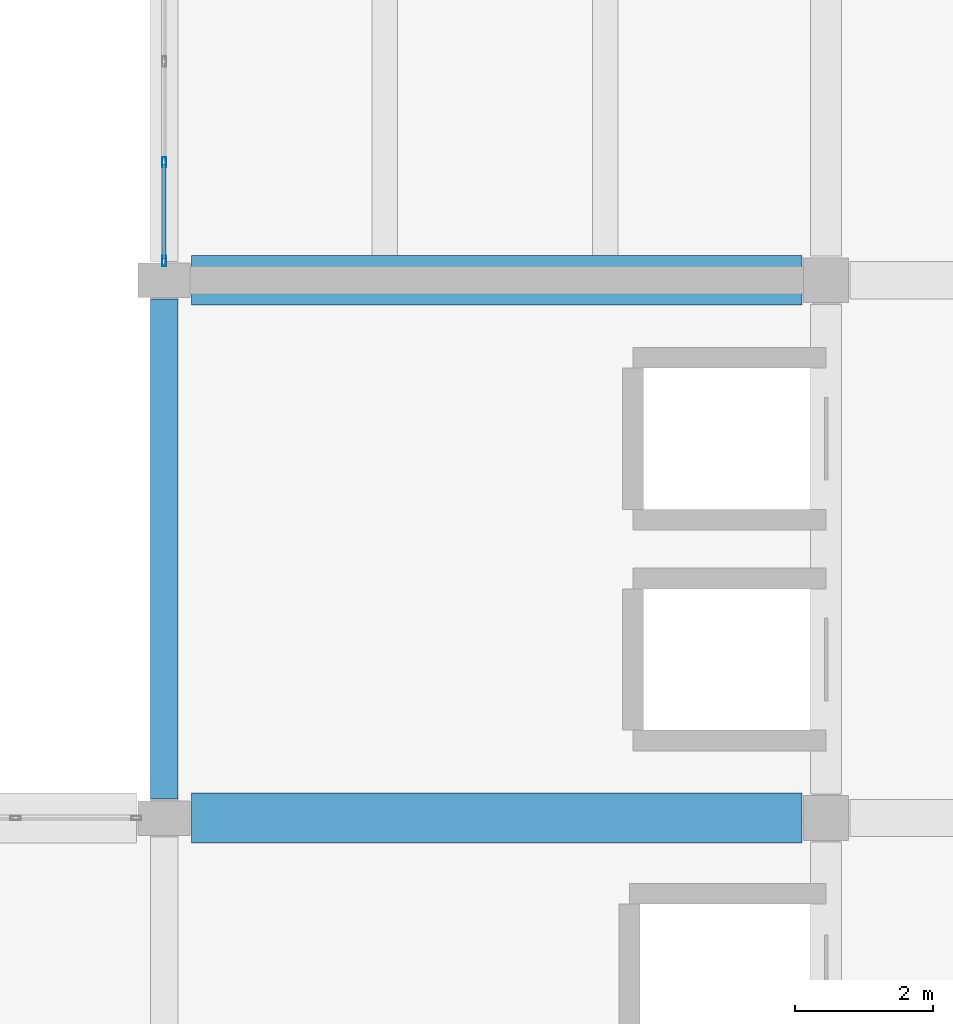
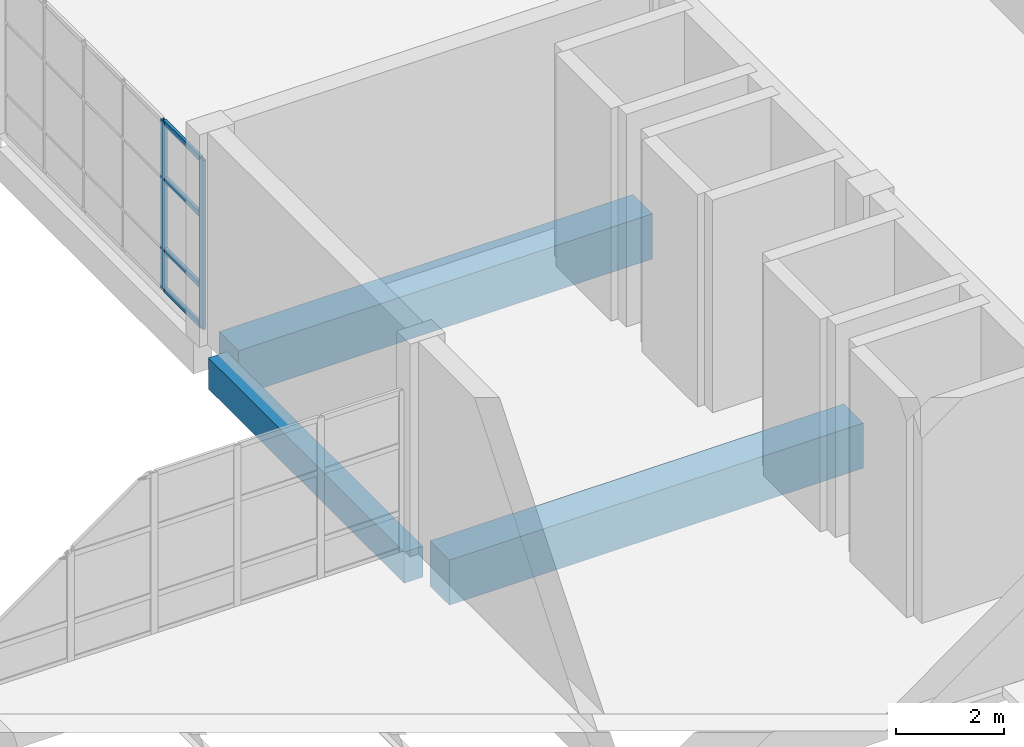
# One storey, part 36 of 79: 6 members, 3 beams, 1 element without a shape of its own.
"""IFC4 building model written with IfcOpenShell, lengths in metres."""

from ifc_helpers import new_model, si_unit, direction, frame, origin, origin_2d, place, context, subcontext, project, spatial, rectangle, hollow_rectangle, extrude, material, material_profile, profile_set, type_object, element, aggregate, save


model = new_model("IFC4")

# Units and contexts
model_context = context("Model", 3, precision=1e-05, world=origin(), true_north=direction((0.0, 1.0)))
body_context = subcontext(model_context, "Body", "Model", "MODEL_VIEW")
ifc_project = project(units=[si_unit("LENGTHUNIT", "METRE"), si_unit("AREAUNIT", "SQUARE_METRE"), si_unit("VOLUMEUNIT", "CUBIC_METRE"), si_unit("PLANEANGLEUNIT", "RADIAN"), si_unit("MASSUNIT", "GRAM", prefix="KILO")], contexts=[model_context])

# Site, building, storey
site_placement = place(None, origin())
site = spatial("IfcSite", under=ifc_project, at=site_placement, CompositionType="ELEMENT")
building_placement = place(site_placement, origin())
building = spatial("IfcBuilding", under=site, at=building_placement, Name="Pellamere Symphony Hall", CompositionType="ELEMENT")
storey_placement = place(building_placement, frame((0.0, 0.0, 10.199951171875)))
storey = spatial("IfcBuildingStorey", under=building, at=storey_placement, Name="L02", CompositionType="ELEMENT", Elevation=10.199951171875)

# Curtain wall, members
ifc_material_1 = material(Name="Thermally Broken Anodised Aluminium 6063-T6 Curtain Wall", Category="aluminium")
curtain_wall_type = type_object("IfcCurtainWallType", Name="Curtain Wall CW-05 (Artists Wing North Studio Ribbon Curtain Wall)", PredefinedType="NOTDEFINED", material=ifc_material_1)
curtain_wall_placement = place(storey_placement, origin())
curtain_wall = element("IfcCurtainWall", 1, at=curtain_wall_placement, inside=storey, type_object=curtain_wall_type, Name="Sculpture Court East Wing Curtain Wall (L02 Bay 1)", PredefinedType="NOTDEFINED")
ifc_material_2 = material(Name="Anodised Architectural Aluminium 6063-T6", Category="aluminium")
ifc_material_profile_1 = material_profile(ifc_material_2, hollow_rectangle(XDim=0.06005859375, YDim=0.14990234375, WallThickness=0.00390625, at=origin_2d()), Name="ALU-M60X150X4")
ifc_profile_set_1 = profile_set([ifc_material_profile_1], Name="Anodised Architectural Aluminium 6063-T6")
member_type_1 = type_object("IfcMemberType", Name="Curtain Wall Mullion ML-03 ALU-M60X150X4", PredefinedType="MULLION", material=ifc_profile_set_1)
member_1_placement = place(storey_placement, frame((138.0, 62.080078125, 0.0), z_axis=(0.0, 0.0, 1.0), x_axis=(-1.0, 0.0, 0.0)))
member_1 = element("IfcMember", 2, at=member_1_placement, type_object=member_type_1, Name="CW5-137 crystal mullion 1", PredefinedType="MULLION", context=body_context, shape_type="SweptSolid", body=[
    extrude(hollow_rectangle(XDim=0.06005859375, YDim=0.14990234375, WallThickness=0.00390625, at=origin_2d()), origin(), (0.0, 0.0, 1.0), 3.820068359375),
])
member_2_placement = place(storey_placement, frame((138.0, 63.510009765625, 0.0), z_axis=(0.0, 0.0, 1.0), x_axis=(-1.0, 0.0, 0.0)))
member_2 = element("IfcMember", 3, at=member_2_placement, type_object=member_type_1, Name="CW5-137 crystal mullion 2", PredefinedType="MULLION", context=body_context, shape_type="SweptSolid", body=[
    extrude(hollow_rectangle(XDim=0.06005859375, YDim=0.14990234375, WallThickness=0.00390625, at=origin_2d()), origin(), (0.0, 0.0, 1.0), 3.820068359375),
])
ifc_material_profile_2 = material_profile(ifc_material_2, hollow_rectangle(XDim=0.06005859375, YDim=0.1201171875, WallThickness=0.00390625, at=origin_2d()), Name="ALU-T60X120X4")
ifc_profile_set_2 = profile_set([ifc_material_profile_2], Name="Anodised Architectural Aluminium 6063-T6")
member_type_2 = type_object("IfcMemberType", Name="Curtain Wall Transom TR-03 ALU-T60X120X4", PredefinedType="USERDEFINED", material=ifc_profile_set_2)
member_3_placement = place(storey_placement, frame((138.0, 62.110107421875, 0.030029296875), z_axis=(0.0, 1.0, 0.0), x_axis=(-1.0, 0.0, 0.0)))
member_3 = element("IfcMember", 4, at=member_3_placement, type_object=member_type_2, Name="CW5-137 crystal transom 1.1", ObjectType="TRANSOM", PredefinedType="USERDEFINED", context=body_context, shape_type="SweptSolid", body=[
    extrude(hollow_rectangle(XDim=0.06005859375, YDim=0.1201171875, WallThickness=0.00390625, at=origin_2d()), origin(), (0.0, 0.0, 1.0), 1.369873046875),
])
member_4_placement = place(storey_placement, frame((138.0, 62.110107421875, 0.916748046875), z_axis=(0.0, 1.0, 0.0), x_axis=(-1.0, 0.0, 0.0)))
member_4 = element("IfcMember", 5, at=member_4_placement, type_object=member_type_2, Name="CW5-137 crystal transom 1.2", ObjectType="TRANSOM", PredefinedType="USERDEFINED", context=body_context, shape_type="SweptSolid", body=[
    extrude(hollow_rectangle(XDim=0.06005859375, YDim=0.1201171875, WallThickness=0.00390625, at=origin_2d()), origin(), (0.0, 0.0, 1.0), 1.369873046875),
])
member_5_placement = place(storey_placement, frame((138.0, 62.110107421875, 2.521240234375), z_axis=(0.0, 1.0, 0.0), x_axis=(-1.0, 0.0, 0.0)))
member_5 = element("IfcMember", 6, at=member_5_placement, type_object=member_type_2, Name="CW5-137 crystal transom 1.3", ObjectType="TRANSOM", PredefinedType="USERDEFINED", context=body_context, shape_type="SweptSolid", body=[
    extrude(hollow_rectangle(XDim=0.06005859375, YDim=0.1201171875, WallThickness=0.00390625, at=origin_2d()), origin(), (0.0, 0.0, 1.0), 1.369873046875),
])
member_6_placement = place(storey_placement, frame((138.0, 62.110107421875, 3.7900390625), z_axis=(0.0, 1.0, 0.0), x_axis=(-1.0, 0.0, 0.0)))
member_6 = element("IfcMember", 7, at=member_6_placement, type_object=member_type_2, Name="CW5-137 crystal transom 1.4", ObjectType="TRANSOM", PredefinedType="USERDEFINED", context=body_context, shape_type="SweptSolid", body=[
    extrude(hollow_rectangle(XDim=0.06005859375, YDim=0.1201171875, WallThickness=0.00390625, at=origin_2d()), origin(), (0.0, 0.0, 1.0), 1.369873046875),
])
aggregate(curtain_wall, [member_1, member_2, member_3, member_4, member_5, member_6])

# Beams
ifc_material_3 = material(Name="Concrete 40 MPa", Category="concrete")
ifc_material_profile_3 = material_profile(ifc_material_3, rectangle(XDim=0.39990234375, YDim=0.699951171875, at=origin_2d()), Name="RC 400x700")
ifc_profile_set_3 = profile_set([ifc_material_profile_3], Name="Concrete 40 MPa")
beam_type_1 = type_object("IfcBeamType", Name="RC CB-13 400x700", PredefinedType="SPANDREL", material=ifc_profile_set_3)
beam_placement = place(storey_placement, frame((138.0, 54.27490234375, -0.6298828125), z_axis=(0.0, 1.0, 0.0), x_axis=(-1.0, 0.0, 0.0)))
element("IfcBeam", 8, at=beam_placement, inside=storey, type_object=beam_type_1, Name="Girder CB-13-Y1348 (L02)", PredefinedType="SPANDREL", context=body_context, shape_type="SweptSolid", body=[
    extrude(rectangle(XDim=0.39990234375, YDim=0.699951171875, at=origin_2d()), origin(), (0.0, 0.0, 1.0), 7.25),
])
ifc_material_profile_4 = material_profile(ifc_material_3, rectangle(XDim=0.719970703125, YDim=1.02001953125, at=origin_2d()), Name="RC 720x1020")
ifc_profile_set_4 = profile_set([ifc_material_profile_4], Name="Concrete 40 MPa")
beam_type_2 = type_object("IfcBeamType", Name="RC CB-23 720x1020", PredefinedType="BEAM", material=ifc_profile_set_4)
for number, where, z_axis, x_axis, name in (
    (9, (138.39990234375, 54.0, -0.7900390625), (1.0, 0.0, 0.0), (0.0, 1.0, 0.0), "Girder CB-23-X1138 (L02)"),
    (10, (138.39990234375, 61.800048828125, -0.7900390625), (1.0, 0.0, 0.0), (0.0, 1.0, 0.0), "Girder CB-23-X1144 (L02)"),
):
    element("IfcBeam", number, at=place(storey_placement, frame(where, z_axis=z_axis, x_axis=x_axis)), inside=storey, type_object=beam_type_2, Name=name, PredefinedType="BEAM", context=body_context, shape_type="SweptSolid", body=[
        extrude(rectangle(XDim=0.719970703125, YDim=1.02001953125, at=origin_2d()), origin(), (0.0, 0.0, 1.0), 8.85009765625),
    ])

save(model, "model.ifc")
